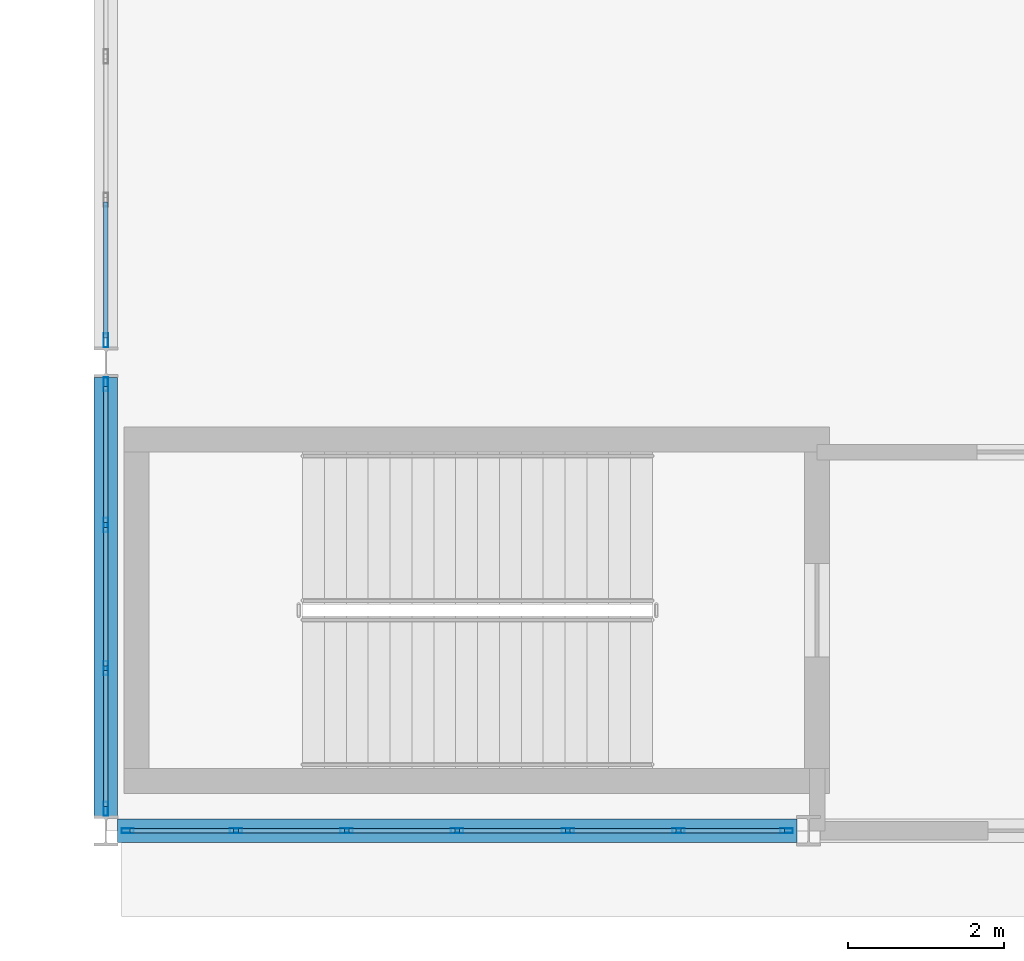
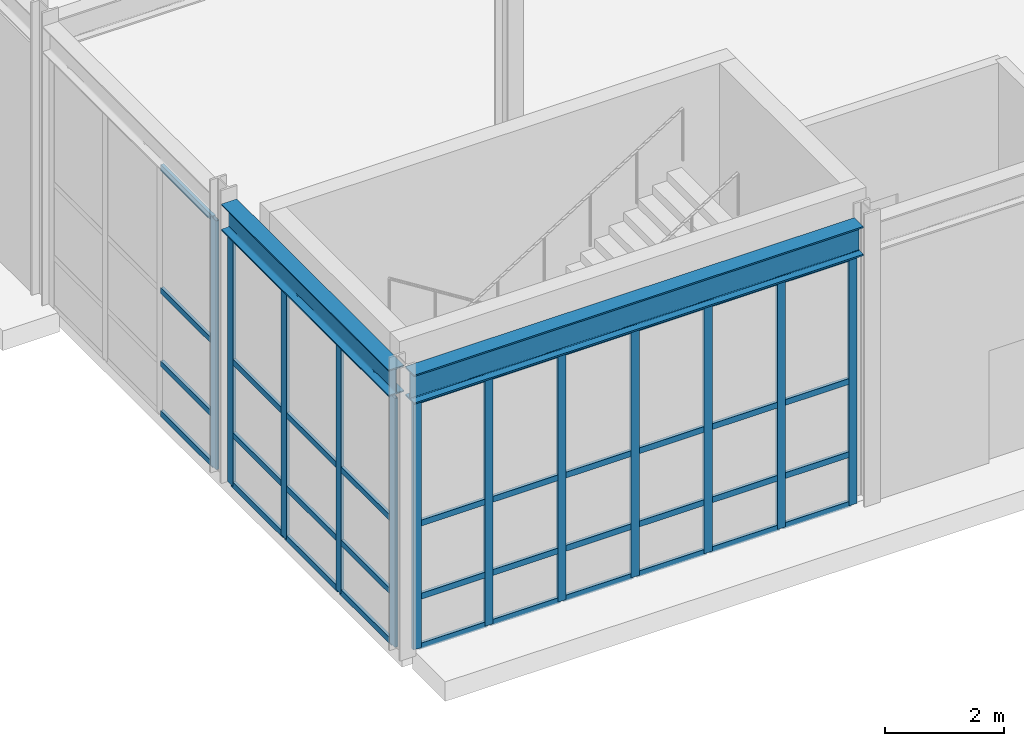
# One storey, part 20 of 146: 52 members, 2 beams, 3 elements without a shape of their own.
"""IFC4 building model written with IfcOpenShell, lengths in metres."""

import ifcopenshell
import ifcopenshell.guid

model = None  # the IFC model being written
_history = None  # IfcOwnerHistory: only IFC2X3 demands one
_inside = {}  # id of a spatial element -> (the spatial element, [elements in it])
_under = {}  # id of a project, library or spatial element -> (it, [spatial elements below it])
_declared = {}  # id of a project -> (the project, [libraries it declares])
_typed = {}  # id of a type object -> (the type object, [elements of that type])
_made_of = {}  # id of a material, layer set ... -> (it, [elements and type objects made of it])


def new_model(schema):
    """Start an empty IFC model of exactly this schema.

    Asked for "IFC4X3", IfcOpenShell would pick the latest addendum, in which some entities
    have other attributes; the version numbers below select the first issue.
    IFC2X3 requires an IfcOwnerHistory on every rooted entity: one is made here for all.
    """
    global model, _history
    if schema == "IFC4X3":
        model = ifcopenshell.file(schema_version=(4, 3, 0, 0))
    else:
        model = ifcopenshell.file(schema=schema)
    _inside.clear()
    _under.clear()
    _declared.clear()
    _typed.clear()
    _made_of.clear()
    _history = None
    if model.schema == "IFC2X3":
        org = make("IfcOrganization", Name="unknown")
        user = make(
            "IfcPersonAndOrganization",
            ThePerson=make("IfcPerson", FamilyName="unknown"),
            TheOrganization=org,
        )
        app = make(
            "IfcApplication",
            ApplicationDeveloper=org,
            Version="unknown",
            ApplicationFullName="unknown",
            ApplicationIdentifier="unknown",
        )
        _history = make(
            "IfcOwnerHistory",
            OwningUser=user,
            OwningApplication=app,
            ChangeAction="ADDED",
            CreationDate=0,
        )
    return model


def make(cls, **values):
    """One entity of the class cls with the attributes given. An attribute that is None is left unset."""
    return model.create_entity(
        cls, **{name: value for name, value in values.items() if value is not None}
    )


def rooted(cls, **values):
    """An entity with a GlobalId (a new one), such as an element, a storey or a relation."""
    return make(cls, GlobalId=ifcopenshell.guid.new(), OwnerHistory=_history, **values)


def si_unit(unit_type, name, prefix=None):
    """IfcSIUnit, for example si_unit("LENGTHUNIT", "METRE", prefix="MILLI")."""
    return make("IfcSIUnit", UnitType=unit_type, Prefix=prefix, Name=name)


def assignment(units):
    """IfcUnitAssignment: the units of a project."""
    return None if units is None else make("IfcUnitAssignment", Units=units)


def point(xyz):
    """IfcCartesianPoint."""
    return None if xyz is None else make("IfcCartesianPoint", Coordinates=xyz)


def direction(xyz):
    """IfcDirection."""
    return None if xyz is None else make("IfcDirection", DirectionRatios=xyz)


def frame(location, z_axis=None, x_axis=None):
    """IfcAxis2Placement3D, a coordinate frame: its origin and axes. An axis left out is left unset."""
    return make(
        "IfcAxis2Placement3D",
        Location=point(location),
        Axis=direction(z_axis),
        RefDirection=direction(x_axis),
    )


def frame_2d(location, x_axis=None):
    """IfcAxis2Placement2D, a coordinate frame in the plane: its origin and x axis."""
    return make(
        "IfcAxis2Placement2D", Location=point(location), RefDirection=direction(x_axis)
    )


def origin():
    """The frame at (0, 0, 0) with its axes left unset."""
    return frame((0.0, 0.0, 0.0))


def origin_2d():
    """The frame at (0, 0) in the plane with its x axis left unset."""
    return frame_2d((0.0, 0.0))


def place(relative_to, where):
    """IfcLocalPlacement: puts the frame where relative to a parent placement (None: the world)."""
    return make(
        "IfcLocalPlacement", PlacementRelTo=relative_to, RelativePlacement=where
    )


def context(
    kind, dimensions, precision=None, world=None, true_north=None, identifier=None
):
    """IfcGeometricRepresentationContext, for example the 3D "Model" context."""
    return make(
        "IfcGeometricRepresentationContext",
        ContextIdentifier=identifier,
        ContextType=kind,
        CoordinateSpaceDimension=dimensions,
        Precision=precision,
        WorldCoordinateSystem=world,
        TrueNorth=true_north,
    )


def subcontext(parent, identifier, kind, view, scale=None):
    """IfcGeometricRepresentationSubContext, for example "Body" below "Model"."""
    return make(
        "IfcGeometricRepresentationSubContext",
        ContextIdentifier=identifier,
        ContextType=kind,
        ParentContext=parent,
        TargetScale=scale,
        TargetView=view,
    )


def project(units=None, contexts=None):
    """IfcProject with its units and contexts."""
    return rooted(
        "IfcProject",
        Name="project",
        RepresentationContexts=contexts,
        UnitsInContext=assignment(units),
    )


def spatial(cls, under=None, at=None, **own):
    """A site, building, storey or space (cls), placed at a placement, below another one or the project."""
    s = rooted(cls, ObjectPlacement=at, **own)
    if under is not None:
        _under.setdefault(under.id(), (under, []))[1].append(s)
    return s


def profile(cls, at=None, kind="AREA", **sizes):
    """A parametric profile (cls). Its sizes go by their IFC names, for example OverallWidth=200.0."""
    return make(cls, ProfileType=kind, Position=at, **sizes)


def hollow_rectangle(**sizes):
    """IfcRectangleHollowProfileDef."""
    return profile("IfcRectangleHollowProfileDef", **sizes)


def i_section(**sizes):
    """IfcIShapeProfileDef."""
    return profile("IfcIShapeProfileDef", **sizes)


def extrude(swept, where, along, depth):
    """IfcExtrudedAreaSolid: the profile swept, set in the frame where, extruded along a direction by depth."""
    return make(
        "IfcExtrudedAreaSolid",
        SweptArea=swept,
        Position=where,
        ExtrudedDirection=direction(along),
        Depth=depth,
    )


def shape(context_of_items, identifier, shape_type, items):
    """IfcShapeRepresentation: the items that make up one representation, for example the "Body"."""
    return make(
        "IfcShapeRepresentation",
        ContextOfItems=context_of_items,
        RepresentationIdentifier=identifier,
        RepresentationType=shape_type,
        Items=items,
    )


def material(Name=None, Category=None):
    """IfcMaterial."""
    return make("IfcMaterial", Name=Name, Category=Category)


def material_profile(
    of_material, cross_section, Name=None, Category=None, Priority=None
):
    """IfcMaterialProfile: a cross section and its material."""
    return make(
        "IfcMaterialProfile",
        Name=Name,
        Material=of_material,
        Profile=cross_section,
        Priority=Priority,
        Category=Category,
    )


def profile_set(profiles, Name=None, composite=None):
    """IfcMaterialProfileSet."""
    return make(
        "IfcMaterialProfileSet",
        Name=Name,
        MaterialProfiles=profiles,
        CompositeProfile=composite,
    )


def made_of(thing, what):
    """Note that an element or type object is made of a material, layer set ...; save() writes the relation."""
    if what is not None:
        _made_of.setdefault(what.id(), (what, []))[1].append(thing)
    return thing


def type_object(cls, material=None, **own):
    """A type object (cls), such as IfcWallType, which elements share."""
    return made_of(rooted(cls, **own), material)


def element(
    cls,
    number,
    at=None,
    inside=None,
    cuts=None,
    type_object=None,
    material=None,
    context=None,
    identifier="Body",
    shape_type=None,
    held_by="IfcProductDefinitionShape",
    body=None,
    shapes=None,
    **own,
):
    """One element of the class cls, such as IfcWall. Its Tag is "e" and its number.

    at: its placement. inside: the storey or other place that contains it. cuts: it is an
    opening in that element (IfcRelVoidsElement). A single representation is given by context,
    identifier, shape_type and body (its items); several are given by shapes. held_by: the class
    of the entity that holds the representations. save() writes the other relations.
    """
    e = rooted(cls, Tag="e%d" % number, ObjectPlacement=at, **own)
    if body is not None:
        shapes = [shape(context, identifier, shape_type, body)]
    if shapes is not None:
        e.Representation = make(held_by, Representations=shapes)
    if inside is not None:
        _inside.setdefault(inside.id(), (inside, []))[1].append(e)
    if cuts is not None:
        rooted(
            "IfcRelVoidsElement", RelatingBuildingElement=cuts, RelatedOpeningElement=e
        )
    if type_object is not None:
        _typed.setdefault(type_object.id(), (type_object, []))[1].append(e)
    return made_of(e, material)


def aggregate(whole, parts):
    """IfcRelAggregates: a whole, such as a stair, and the parts it consists of."""
    return rooted("IfcRelAggregates", RelatingObject=whole, RelatedObjects=parts)


def save(model, path):
    """Write the relations noted so far, then the file.

    IfcRelAggregates (storeys below a building ...), IfcRelContainedInSpatialStructure (elements
    in a storey), IfcRelDefinesByType, IfcRelAssociatesMaterial and IfcRelDeclares: one each for
    every whole, place, type object, material and project.
    """
    for whole, parts in _under.values():
        aggregate(whole, parts)
    for where, things in _inside.values():
        rooted(
            "IfcRelContainedInSpatialStructure",
            RelatedElements=things,
            RelatingStructure=where,
        )
    for kind, things in _typed.values():
        rooted("IfcRelDefinesByType", RelatedObjects=things, RelatingType=kind)
    for what, things in _made_of.values():
        rooted("IfcRelAssociatesMaterial", RelatedObjects=things, RelatingMaterial=what)
    for by, libraries in _declared.values():
        rooted("IfcRelDeclares", RelatingContext=by, RelatedDefinitions=libraries)
    model.write(path)


model = new_model("IFC4")

# Units and contexts
model_context = context("Model", 3, precision=1e-05, world=origin(), true_north=direction((0.0, 1.0)))
body_context = subcontext(model_context, "Body", "Model", "MODEL_VIEW")
ifc_project = project(units=[si_unit("LENGTHUNIT", "METRE"), si_unit("AREAUNIT", "SQUARE_METRE"), si_unit("VOLUMEUNIT", "CUBIC_METRE"), si_unit("PLANEANGLEUNIT", "RADIAN"), si_unit("MASSUNIT", "GRAM", prefix="KILO")], contexts=[model_context])

# Site, building, storey
site_placement = place(None, origin())
site = spatial("IfcSite", under=ifc_project, at=site_placement, CompositionType="ELEMENT")
building_placement = place(site_placement, origin())
building = spatial("IfcBuilding", under=site, at=building_placement, Name="Kaldris Quays Convention Centre", CompositionType="ELEMENT")
storey_placement = place(building_placement, origin())
storey = spatial("IfcBuildingStorey", under=building, at=storey_placement, Name="L00", CompositionType="ELEMENT", Elevation=0.0)

# Curtain wall, members
ifc_material_1 = material(Name="Anodized aluminium AW-6060 and triple glazing", Category="aluminium")
curtain_wall_type_1 = type_object("IfcCurtainWallType", Name="UNITISED CURTAIN WALL CW01", PredefinedType="NOTDEFINED", material=ifc_material_1)
curtain_wall_1_placement = place(storey_placement, origin())
curtain_wall_1 = element("IfcCurtainWall", 1, at=curtain_wall_1_placement, inside=storey, type_object=curtain_wall_type_1, Name="L00 Unitised Curtain Wall CW01 43", PredefinedType="NOTDEFINED")
ifc_material_2 = material(Name="Anodized aluminium AW-6060", Category="aluminium")
ifc_material_profile_1 = material_profile(ifc_material_2, hollow_rectangle(XDim=0.06005859375, YDim=0.159912109375, WallThickness=0.00390625, at=origin_2d()), Name="RHS 160x60x4")
ifc_profile_set_1 = profile_set([ifc_material_profile_1], Name="Anodized aluminium AW-6060")
member_type_1 = type_object("IfcMemberType", Name="CURTAIN MULLION CWM1", PredefinedType="MULLION", material=ifc_profile_set_1)
member_1_placement = place(storey_placement, frame((20.280029296875, 16.0, 0.0), z_axis=(0.0, 0.0, 1.0), x_axis=(0.0, 1.0, 0.0)))
member_1 = element("IfcMember", 2, at=member_1_placement, type_object=member_type_1, Name="CW01 mullion 1", PredefinedType="MULLION", context=body_context, shape_type="SweptSolid", body=[
    extrude(hollow_rectangle(XDim=0.06005859375, YDim=0.159912109375, WallThickness=0.00390625, at=origin_2d()), origin(), (0.0, 0.0, 1.0), 5.097900390625),
])
member_2_placement = place(storey_placement, frame((21.666748046875, 16.0, 0.0), z_axis=(0.0, 0.0, 1.0), x_axis=(0.0, 1.0, 0.0)))
member_2 = element("IfcMember", 3, at=member_2_placement, type_object=member_type_1, Name="CW01 mullion 2", PredefinedType="MULLION", context=body_context, shape_type="SweptSolid", body=[
    extrude(hollow_rectangle(XDim=0.06005859375, YDim=0.159912109375, WallThickness=0.00390625, at=origin_2d()), origin(), (0.0, 0.0, 1.0), 5.097900390625),
])
member_3_placement = place(storey_placement, frame((23.083251953125, 16.0, 0.0), z_axis=(0.0, 0.0, 1.0), x_axis=(0.0, 1.0, 0.0)))
member_3 = element("IfcMember", 4, at=member_3_placement, type_object=member_type_1, Name="CW01 mullion 3", PredefinedType="MULLION", context=body_context, shape_type="SweptSolid", body=[
    extrude(hollow_rectangle(XDim=0.06005859375, YDim=0.159912109375, WallThickness=0.00390625, at=origin_2d()), origin(), (0.0, 0.0, 1.0), 5.097900390625),
])
member_4_placement = place(storey_placement, frame((24.5, 16.0, 0.0), z_axis=(0.0, 0.0, 1.0), x_axis=(0.0, 1.0, 0.0)))
member_4 = element("IfcMember", 5, at=member_4_placement, type_object=member_type_1, Name="CW01 mullion 4", PredefinedType="MULLION", context=body_context, shape_type="SweptSolid", body=[
    extrude(hollow_rectangle(XDim=0.06005859375, YDim=0.159912109375, WallThickness=0.00390625, at=origin_2d()), origin(), (0.0, 0.0, 1.0), 5.097900390625),
])
member_5_placement = place(storey_placement, frame((25.916748046875, 16.0, 0.0), z_axis=(0.0, 0.0, 1.0), x_axis=(0.0, 1.0, 0.0)))
member_5 = element("IfcMember", 6, at=member_5_placement, type_object=member_type_1, Name="CW01 mullion 5", PredefinedType="MULLION", context=body_context, shape_type="SweptSolid", body=[
    extrude(hollow_rectangle(XDim=0.06005859375, YDim=0.159912109375, WallThickness=0.00390625, at=origin_2d()), origin(), (0.0, 0.0, 1.0), 5.097900390625),
])
member_6_placement = place(storey_placement, frame((27.333251953125, 16.0, 0.0), z_axis=(0.0, 0.0, 1.0), x_axis=(0.0, 1.0, 0.0)))
member_6 = element("IfcMember", 7, at=member_6_placement, type_object=member_type_1, Name="CW01 mullion 6", PredefinedType="MULLION", context=body_context, shape_type="SweptSolid", body=[
    extrude(hollow_rectangle(XDim=0.06005859375, YDim=0.159912109375, WallThickness=0.00390625, at=origin_2d()), origin(), (0.0, 0.0, 1.0), 5.097900390625),
])
member_7_placement = place(storey_placement, frame((28.719970703125, 16.0, 0.0), z_axis=(0.0, 0.0, 1.0), x_axis=(0.0, 1.0, 0.0)))
member_7 = element("IfcMember", 8, at=member_7_placement, type_object=member_type_1, Name="CW01 mullion 7", PredefinedType="MULLION", context=body_context, shape_type="SweptSolid", body=[
    extrude(hollow_rectangle(XDim=0.06005859375, YDim=0.159912109375, WallThickness=0.00390625, at=origin_2d()), origin(), (0.0, 0.0, 1.0), 5.097900390625),
])

curtain_wall_type_2 = type_object("IfcCurtainWallType", Name="UNITISED CURTAIN WALL CW05", PredefinedType="NOTDEFINED", material=ifc_material_1)
curtain_wall_2_placement = place(storey_placement, origin())
curtain_wall_2 = element("IfcCurtainWall", 9, at=curtain_wall_2_placement, inside=storey, type_object=curtain_wall_type_2, Name="L00 Unitised Curtain Wall CW05 51", PredefinedType="NOTDEFINED")
ifc_material_profile_2 = material_profile(ifc_material_2, hollow_rectangle(XDim=0.06005859375, YDim=0.179931640625, WallThickness=0.0048828125, at=origin_2d()), Name="RHS 180x60x5")
ifc_profile_set_2 = profile_set([ifc_material_profile_2], Name="Anodized aluminium AW-6060")
member_type_2 = type_object("IfcMemberType", Name="CURTAIN MULLION CWM2", PredefinedType="MULLION", material=ifc_profile_set_2)
member_8_placement = place(storey_placement, frame((20.0, 16.280029296875, 0.0), z_axis=(0.0, 0.0, 1.0), x_axis=(-1.0, 0.0, 0.0)))
member_8 = element("IfcMember", 10, at=member_8_placement, type_object=member_type_2, Name="CW05 mullion 1", PredefinedType="MULLION", context=body_context, shape_type="SweptSolid", body=[
    extrude(hollow_rectangle(XDim=0.06005859375, YDim=0.179931640625, WallThickness=0.0048828125, at=origin_2d()), origin(), (0.0, 0.0, 1.0), 5.097900390625),
])
member_9_placement = place(storey_placement, frame((20.0, 18.083251953125, 0.0), z_axis=(0.0, 0.0, 1.0), x_axis=(-1.0, 0.0, 0.0)))
member_9 = element("IfcMember", 11, at=member_9_placement, type_object=member_type_2, Name="CW05 mullion 2", PredefinedType="MULLION", context=body_context, shape_type="SweptSolid", body=[
    extrude(hollow_rectangle(XDim=0.06005859375, YDim=0.179931640625, WallThickness=0.0048828125, at=origin_2d()), origin(), (0.0, 0.0, 1.0), 5.097900390625),
])
member_10_placement = place(storey_placement, frame((20.0, 19.916748046875, 0.0), z_axis=(0.0, 0.0, 1.0), x_axis=(-1.0, 0.0, 0.0)))
member_10 = element("IfcMember", 12, at=member_10_placement, type_object=member_type_2, Name="CW05 mullion 3", PredefinedType="MULLION", context=body_context, shape_type="SweptSolid", body=[
    extrude(hollow_rectangle(XDim=0.06005859375, YDim=0.179931640625, WallThickness=0.0048828125, at=origin_2d()), origin(), (0.0, 0.0, 1.0), 5.097900390625),
])
member_11_placement = place(storey_placement, frame((20.0, 21.719970703125, 0.0), z_axis=(0.0, 0.0, 1.0), x_axis=(-1.0, 0.0, 0.0)))
member_11 = element("IfcMember", 13, at=member_11_placement, type_object=member_type_2, Name="CW05 mullion 4", PredefinedType="MULLION", context=body_context, shape_type="SweptSolid", body=[
    extrude(hollow_rectangle(XDim=0.06005859375, YDim=0.179931640625, WallThickness=0.0048828125, at=origin_2d()), origin(), (0.0, 0.0, 1.0), 5.097900390625),
])

# Curtain wall, member
curtain_wall_3_placement = place(storey_placement, origin())
curtain_wall_3 = element("IfcCurtainWall", 14, at=curtain_wall_3_placement, inside=storey, type_object=curtain_wall_type_2, Name="L00 Unitised Curtain Wall CW05 53", PredefinedType="NOTDEFINED")
member_12_placement = place(storey_placement, frame((20.0, 22.280029296875, 0.0), z_axis=(0.0, 0.0, 1.0), x_axis=(-1.0, 0.0, 0.0)))
member_12 = element("IfcMember", 15, at=member_12_placement, type_object=member_type_2, Name="CW05 mullion 1", PredefinedType="MULLION", context=body_context, shape_type="SweptSolid", body=[
    extrude(hollow_rectangle(XDim=0.06005859375, YDim=0.179931640625, WallThickness=0.0048828125, at=origin_2d()), origin(), (0.0, 0.0, 1.0), 5.097900390625),
])

# Member
ifc_material_profile_3 = material_profile(ifc_material_2, hollow_rectangle(XDim=0.06005859375, YDim=0.1201171875, WallThickness=0.00390625, at=origin_2d()), Name="RHS 120x60x4")
ifc_profile_set_3 = profile_set([ifc_material_profile_3], Name="Anodized aluminium AW-6060")
member_type_3 = type_object("IfcMemberType", Name="CURTAIN TRANSOM CWT1", PredefinedType="USERDEFINED", material=ifc_profile_set_3)
member_13_placement = place(storey_placement, frame((20.31005859375, 16.0, 0.030029296875), z_axis=(1.0, 0.0, 0.0), x_axis=(0.0, 1.0, 0.0)))
member_13 = element("IfcMember", 16, at=member_13_placement, type_object=member_type_3, Name="CW01 transom 1.1", ObjectType="TRANSOM", PredefinedType="USERDEFINED", context=body_context, shape_type="SweptSolid", body=[
    extrude(hollow_rectangle(XDim=0.06005859375, YDim=0.1201171875, WallThickness=0.00390625, at=origin_2d()), origin(), (0.0, 0.0, 1.0), 1.32666015625),
])

member_14_placement = place(storey_placement, frame((20.31005859375, 16.0, 1.050048828125), z_axis=(1.0, 0.0, 0.0), x_axis=(0.0, 1.0, 0.0)))
member_14 = element("IfcMember", 17, at=member_14_placement, type_object=member_type_3, Name="CW01 transom 1.2", ObjectType="TRANSOM", PredefinedType="USERDEFINED", context=body_context, shape_type="SweptSolid", body=[
    extrude(hollow_rectangle(XDim=0.06005859375, YDim=0.1201171875, WallThickness=0.00390625, at=origin_2d()), origin(), (0.0, 0.0, 1.0), 1.32666015625),
])

member_15_placement = place(storey_placement, frame((20.31005859375, 16.0, 2.549072265625), z_axis=(1.0, 0.0, 0.0), x_axis=(0.0, 1.0, 0.0)))
member_15 = element("IfcMember", 18, at=member_15_placement, type_object=member_type_3, Name="CW01 transom 1.3", ObjectType="TRANSOM", PredefinedType="USERDEFINED", context=body_context, shape_type="SweptSolid", body=[
    extrude(hollow_rectangle(XDim=0.06005859375, YDim=0.1201171875, WallThickness=0.00390625, at=origin_2d()), origin(), (0.0, 0.0, 1.0), 1.32666015625),
])

member_16_placement = place(storey_placement, frame((20.31005859375, 16.0, 5.068115234375), z_axis=(1.0, 0.0, 0.0), x_axis=(0.0, 1.0, 0.0)))
member_16 = element("IfcMember", 19, at=member_16_placement, type_object=member_type_3, Name="CW01 transom 1.4", ObjectType="TRANSOM", PredefinedType="USERDEFINED", context=body_context, shape_type="SweptSolid", body=[
    extrude(hollow_rectangle(XDim=0.06005859375, YDim=0.1201171875, WallThickness=0.00390625, at=origin_2d()), origin(), (0.0, 0.0, 1.0), 1.32666015625),
])

member_17_placement = place(storey_placement, frame((21.69677734375, 16.0, 0.030029296875), z_axis=(1.0, 0.0, 0.0), x_axis=(0.0, 1.0, 0.0)))
member_17 = element("IfcMember", 20, at=member_17_placement, type_object=member_type_3, Name="CW01 transom 2.1", ObjectType="TRANSOM", PredefinedType="USERDEFINED", context=body_context, shape_type="SweptSolid", body=[
    extrude(hollow_rectangle(XDim=0.06005859375, YDim=0.1201171875, WallThickness=0.00390625, at=origin_2d()), origin(), (0.0, 0.0, 1.0), 1.3564453125),
])

member_18_placement = place(storey_placement, frame((21.69677734375, 16.0, 1.050048828125), z_axis=(1.0, 0.0, 0.0), x_axis=(0.0, 1.0, 0.0)))
member_18 = element("IfcMember", 21, at=member_18_placement, type_object=member_type_3, Name="CW01 transom 2.2", ObjectType="TRANSOM", PredefinedType="USERDEFINED", context=body_context, shape_type="SweptSolid", body=[
    extrude(hollow_rectangle(XDim=0.06005859375, YDim=0.1201171875, WallThickness=0.00390625, at=origin_2d()), origin(), (0.0, 0.0, 1.0), 1.3564453125),
])

member_19_placement = place(storey_placement, frame((21.69677734375, 16.0, 2.549072265625), z_axis=(1.0, 0.0, 0.0), x_axis=(0.0, 1.0, 0.0)))
member_19 = element("IfcMember", 22, at=member_19_placement, type_object=member_type_3, Name="CW01 transom 2.3", ObjectType="TRANSOM", PredefinedType="USERDEFINED", context=body_context, shape_type="SweptSolid", body=[
    extrude(hollow_rectangle(XDim=0.06005859375, YDim=0.1201171875, WallThickness=0.00390625, at=origin_2d()), origin(), (0.0, 0.0, 1.0), 1.3564453125),
])

member_20_placement = place(storey_placement, frame((21.69677734375, 16.0, 5.068115234375), z_axis=(1.0, 0.0, 0.0), x_axis=(0.0, 1.0, 0.0)))
member_20 = element("IfcMember", 23, at=member_20_placement, type_object=member_type_3, Name="CW01 transom 2.4", ObjectType="TRANSOM", PredefinedType="USERDEFINED", context=body_context, shape_type="SweptSolid", body=[
    extrude(hollow_rectangle(XDim=0.06005859375, YDim=0.1201171875, WallThickness=0.00390625, at=origin_2d()), origin(), (0.0, 0.0, 1.0), 1.3564453125),
])

member_21_placement = place(storey_placement, frame((23.11328125, 16.0, 0.030029296875), z_axis=(1.0, 0.0, 0.0), x_axis=(0.0, 1.0, 0.0)))
member_21 = element("IfcMember", 24, at=member_21_placement, type_object=member_type_3, Name="CW01 transom 3.1", ObjectType="TRANSOM", PredefinedType="USERDEFINED", context=body_context, shape_type="SweptSolid", body=[
    extrude(hollow_rectangle(XDim=0.06005859375, YDim=0.1201171875, WallThickness=0.00390625, at=origin_2d()), origin(), (0.0, 0.0, 1.0), 1.356689453125),
])

member_22_placement = place(storey_placement, frame((23.11328125, 16.0, 1.050048828125), z_axis=(1.0, 0.0, 0.0), x_axis=(0.0, 1.0, 0.0)))
member_22 = element("IfcMember", 25, at=member_22_placement, type_object=member_type_3, Name="CW01 transom 3.2", ObjectType="TRANSOM", PredefinedType="USERDEFINED", context=body_context, shape_type="SweptSolid", body=[
    extrude(hollow_rectangle(XDim=0.06005859375, YDim=0.1201171875, WallThickness=0.00390625, at=origin_2d()), origin(), (0.0, 0.0, 1.0), 1.356689453125),
])

member_23_placement = place(storey_placement, frame((23.11328125, 16.0, 2.549072265625), z_axis=(1.0, 0.0, 0.0), x_axis=(0.0, 1.0, 0.0)))
member_23 = element("IfcMember", 26, at=member_23_placement, type_object=member_type_3, Name="CW01 transom 3.3", ObjectType="TRANSOM", PredefinedType="USERDEFINED", context=body_context, shape_type="SweptSolid", body=[
    extrude(hollow_rectangle(XDim=0.06005859375, YDim=0.1201171875, WallThickness=0.00390625, at=origin_2d()), origin(), (0.0, 0.0, 1.0), 1.356689453125),
])

member_24_placement = place(storey_placement, frame((23.11328125, 16.0, 5.068115234375), z_axis=(1.0, 0.0, 0.0), x_axis=(0.0, 1.0, 0.0)))
member_24 = element("IfcMember", 27, at=member_24_placement, type_object=member_type_3, Name="CW01 transom 3.4", ObjectType="TRANSOM", PredefinedType="USERDEFINED", context=body_context, shape_type="SweptSolid", body=[
    extrude(hollow_rectangle(XDim=0.06005859375, YDim=0.1201171875, WallThickness=0.00390625, at=origin_2d()), origin(), (0.0, 0.0, 1.0), 1.356689453125),
])

member_25_placement = place(storey_placement, frame((24.530029296875, 16.0, 0.030029296875), z_axis=(1.0, 0.0, 0.0), x_axis=(0.0, 1.0, 0.0)))
member_25 = element("IfcMember", 28, at=member_25_placement, type_object=member_type_3, Name="CW01 transom 4.1", ObjectType="TRANSOM", PredefinedType="USERDEFINED", context=body_context, shape_type="SweptSolid", body=[
    extrude(hollow_rectangle(XDim=0.06005859375, YDim=0.1201171875, WallThickness=0.00390625, at=origin_2d()), origin(), (0.0, 0.0, 1.0), 1.356689453125),
])

member_26_placement = place(storey_placement, frame((24.530029296875, 16.0, 1.050048828125), z_axis=(1.0, 0.0, 0.0), x_axis=(0.0, 1.0, 0.0)))
member_26 = element("IfcMember", 29, at=member_26_placement, type_object=member_type_3, Name="CW01 transom 4.2", ObjectType="TRANSOM", PredefinedType="USERDEFINED", context=body_context, shape_type="SweptSolid", body=[
    extrude(hollow_rectangle(XDim=0.06005859375, YDim=0.1201171875, WallThickness=0.00390625, at=origin_2d()), origin(), (0.0, 0.0, 1.0), 1.356689453125),
])

member_27_placement = place(storey_placement, frame((24.530029296875, 16.0, 2.549072265625), z_axis=(1.0, 0.0, 0.0), x_axis=(0.0, 1.0, 0.0)))
member_27 = element("IfcMember", 30, at=member_27_placement, type_object=member_type_3, Name="CW01 transom 4.3", ObjectType="TRANSOM", PredefinedType="USERDEFINED", context=body_context, shape_type="SweptSolid", body=[
    extrude(hollow_rectangle(XDim=0.06005859375, YDim=0.1201171875, WallThickness=0.00390625, at=origin_2d()), origin(), (0.0, 0.0, 1.0), 1.356689453125),
])

member_28_placement = place(storey_placement, frame((24.530029296875, 16.0, 5.068115234375), z_axis=(1.0, 0.0, 0.0), x_axis=(0.0, 1.0, 0.0)))
member_28 = element("IfcMember", 31, at=member_28_placement, type_object=member_type_3, Name="CW01 transom 4.4", ObjectType="TRANSOM", PredefinedType="USERDEFINED", context=body_context, shape_type="SweptSolid", body=[
    extrude(hollow_rectangle(XDim=0.06005859375, YDim=0.1201171875, WallThickness=0.00390625, at=origin_2d()), origin(), (0.0, 0.0, 1.0), 1.356689453125),
])

member_29_placement = place(storey_placement, frame((25.94677734375, 16.0, 0.030029296875), z_axis=(1.0, 0.0, 0.0), x_axis=(0.0, 1.0, 0.0)))
member_29 = element("IfcMember", 32, at=member_29_placement, type_object=member_type_3, Name="CW01 transom 5.1", ObjectType="TRANSOM", PredefinedType="USERDEFINED", context=body_context, shape_type="SweptSolid", body=[
    extrude(hollow_rectangle(XDim=0.06005859375, YDim=0.1201171875, WallThickness=0.00390625, at=origin_2d()), origin(), (0.0, 0.0, 1.0), 1.3564453125),
])

member_30_placement = place(storey_placement, frame((25.94677734375, 16.0, 1.050048828125), z_axis=(1.0, 0.0, 0.0), x_axis=(0.0, 1.0, 0.0)))
member_30 = element("IfcMember", 33, at=member_30_placement, type_object=member_type_3, Name="CW01 transom 5.2", ObjectType="TRANSOM", PredefinedType="USERDEFINED", context=body_context, shape_type="SweptSolid", body=[
    extrude(hollow_rectangle(XDim=0.06005859375, YDim=0.1201171875, WallThickness=0.00390625, at=origin_2d()), origin(), (0.0, 0.0, 1.0), 1.3564453125),
])

member_31_placement = place(storey_placement, frame((25.94677734375, 16.0, 2.549072265625), z_axis=(1.0, 0.0, 0.0), x_axis=(0.0, 1.0, 0.0)))
member_31 = element("IfcMember", 34, at=member_31_placement, type_object=member_type_3, Name="CW01 transom 5.3", ObjectType="TRANSOM", PredefinedType="USERDEFINED", context=body_context, shape_type="SweptSolid", body=[
    extrude(hollow_rectangle(XDim=0.06005859375, YDim=0.1201171875, WallThickness=0.00390625, at=origin_2d()), origin(), (0.0, 0.0, 1.0), 1.3564453125),
])

member_32_placement = place(storey_placement, frame((25.94677734375, 16.0, 5.068115234375), z_axis=(1.0, 0.0, 0.0), x_axis=(0.0, 1.0, 0.0)))
member_32 = element("IfcMember", 35, at=member_32_placement, type_object=member_type_3, Name="CW01 transom 5.4", ObjectType="TRANSOM", PredefinedType="USERDEFINED", context=body_context, shape_type="SweptSolid", body=[
    extrude(hollow_rectangle(XDim=0.06005859375, YDim=0.1201171875, WallThickness=0.00390625, at=origin_2d()), origin(), (0.0, 0.0, 1.0), 1.3564453125),
])

member_33_placement = place(storey_placement, frame((27.36328125, 16.0, 0.030029296875), z_axis=(1.0, 0.0, 0.0), x_axis=(0.0, 1.0, 0.0)))
member_33 = element("IfcMember", 36, at=member_33_placement, type_object=member_type_3, Name="CW01 transom 6.1", ObjectType="TRANSOM", PredefinedType="USERDEFINED", context=body_context, shape_type="SweptSolid", body=[
    extrude(hollow_rectangle(XDim=0.06005859375, YDim=0.1201171875, WallThickness=0.00390625, at=origin_2d()), origin(), (0.0, 0.0, 1.0), 1.32666015625),
])

member_34_placement = place(storey_placement, frame((27.36328125, 16.0, 1.050048828125), z_axis=(1.0, 0.0, 0.0), x_axis=(0.0, 1.0, 0.0)))
member_34 = element("IfcMember", 37, at=member_34_placement, type_object=member_type_3, Name="CW01 transom 6.2", ObjectType="TRANSOM", PredefinedType="USERDEFINED", context=body_context, shape_type="SweptSolid", body=[
    extrude(hollow_rectangle(XDim=0.06005859375, YDim=0.1201171875, WallThickness=0.00390625, at=origin_2d()), origin(), (0.0, 0.0, 1.0), 1.32666015625),
])

member_35_placement = place(storey_placement, frame((27.36328125, 16.0, 2.549072265625), z_axis=(1.0, 0.0, 0.0), x_axis=(0.0, 1.0, 0.0)))
member_35 = element("IfcMember", 38, at=member_35_placement, type_object=member_type_3, Name="CW01 transom 6.3", ObjectType="TRANSOM", PredefinedType="USERDEFINED", context=body_context, shape_type="SweptSolid", body=[
    extrude(hollow_rectangle(XDim=0.06005859375, YDim=0.1201171875, WallThickness=0.00390625, at=origin_2d()), origin(), (0.0, 0.0, 1.0), 1.32666015625),
])

member_36_placement = place(storey_placement, frame((27.36328125, 16.0, 5.068115234375), z_axis=(1.0, 0.0, 0.0), x_axis=(0.0, 1.0, 0.0)))
member_36 = element("IfcMember", 39, at=member_36_placement, type_object=member_type_3, Name="CW01 transom 6.4", ObjectType="TRANSOM", PredefinedType="USERDEFINED", context=body_context, shape_type="SweptSolid", body=[
    extrude(hollow_rectangle(XDim=0.06005859375, YDim=0.1201171875, WallThickness=0.00390625, at=origin_2d()), origin(), (0.0, 0.0, 1.0), 1.32666015625),
])

aggregate(curtain_wall_1, [member_1, member_2, member_3, member_4, member_5, member_6, member_7, member_13, member_14, member_15, member_16, member_17, member_18, member_19, member_20, member_21, member_22, member_23, member_24, member_25, member_26, member_27, member_28, member_29, member_30, member_31, member_32, member_33, member_34, member_35, member_36])

member_37_placement = place(storey_placement, frame((20.0, 16.31005859375, 0.030029296875), z_axis=(0.0, 1.0, 0.0), x_axis=(-1.0, 0.0, 0.0)))
member_37 = element("IfcMember", 40, at=member_37_placement, type_object=member_type_3, Name="CW05 transom 1.1", ObjectType="TRANSOM", PredefinedType="USERDEFINED", context=body_context, shape_type="SweptSolid", body=[
    extrude(hollow_rectangle(XDim=0.06005859375, YDim=0.1201171875, WallThickness=0.00390625, at=origin_2d()), origin(), (0.0, 0.0, 1.0), 1.7431640625),
])

member_38_placement = place(storey_placement, frame((20.0, 16.31005859375, 1.050048828125), z_axis=(0.0, 1.0, 0.0), x_axis=(-1.0, 0.0, 0.0)))
member_38 = element("IfcMember", 41, at=member_38_placement, type_object=member_type_3, Name="CW05 transom 1.2", ObjectType="TRANSOM", PredefinedType="USERDEFINED", context=body_context, shape_type="SweptSolid", body=[
    extrude(hollow_rectangle(XDim=0.06005859375, YDim=0.1201171875, WallThickness=0.00390625, at=origin_2d()), origin(), (0.0, 0.0, 1.0), 1.7431640625),
])

member_39_placement = place(storey_placement, frame((20.0, 16.31005859375, 2.549072265625), z_axis=(0.0, 1.0, 0.0), x_axis=(-1.0, 0.0, 0.0)))
member_39 = element("IfcMember", 42, at=member_39_placement, type_object=member_type_3, Name="CW05 transom 1.3", ObjectType="TRANSOM", PredefinedType="USERDEFINED", context=body_context, shape_type="SweptSolid", body=[
    extrude(hollow_rectangle(XDim=0.06005859375, YDim=0.1201171875, WallThickness=0.00390625, at=origin_2d()), origin(), (0.0, 0.0, 1.0), 1.7431640625),
])

member_40_placement = place(storey_placement, frame((20.0, 16.31005859375, 5.068115234375), z_axis=(0.0, 1.0, 0.0), x_axis=(-1.0, 0.0, 0.0)))
member_40 = element("IfcMember", 43, at=member_40_placement, type_object=member_type_3, Name="CW05 transom 1.4", ObjectType="TRANSOM", PredefinedType="USERDEFINED", context=body_context, shape_type="SweptSolid", body=[
    extrude(hollow_rectangle(XDim=0.06005859375, YDim=0.1201171875, WallThickness=0.00390625, at=origin_2d()), origin(), (0.0, 0.0, 1.0), 1.7431640625),
])

member_41_placement = place(storey_placement, frame((20.0, 18.11328125, 0.030029296875), z_axis=(0.0, 1.0, 0.0), x_axis=(-1.0, 0.0, 0.0)))
member_41 = element("IfcMember", 44, at=member_41_placement, type_object=member_type_3, Name="CW05 transom 2.1", ObjectType="TRANSOM", PredefinedType="USERDEFINED", context=body_context, shape_type="SweptSolid", body=[
    extrude(hollow_rectangle(XDim=0.06005859375, YDim=0.1201171875, WallThickness=0.00390625, at=origin_2d()), origin(), (0.0, 0.0, 1.0), 1.7734375),
])

member_42_placement = place(storey_placement, frame((20.0, 18.11328125, 1.050048828125), z_axis=(0.0, 1.0, 0.0), x_axis=(-1.0, 0.0, 0.0)))
member_42 = element("IfcMember", 45, at=member_42_placement, type_object=member_type_3, Name="CW05 transom 2.2", ObjectType="TRANSOM", PredefinedType="USERDEFINED", context=body_context, shape_type="SweptSolid", body=[
    extrude(hollow_rectangle(XDim=0.06005859375, YDim=0.1201171875, WallThickness=0.00390625, at=origin_2d()), origin(), (0.0, 0.0, 1.0), 1.7734375),
])

member_43_placement = place(storey_placement, frame((20.0, 18.11328125, 2.549072265625), z_axis=(0.0, 1.0, 0.0), x_axis=(-1.0, 0.0, 0.0)))
member_43 = element("IfcMember", 46, at=member_43_placement, type_object=member_type_3, Name="CW05 transom 2.3", ObjectType="TRANSOM", PredefinedType="USERDEFINED", context=body_context, shape_type="SweptSolid", body=[
    extrude(hollow_rectangle(XDim=0.06005859375, YDim=0.1201171875, WallThickness=0.00390625, at=origin_2d()), origin(), (0.0, 0.0, 1.0), 1.7734375),
])

member_44_placement = place(storey_placement, frame((20.0, 18.11328125, 5.068115234375), z_axis=(0.0, 1.0, 0.0), x_axis=(-1.0, 0.0, 0.0)))
member_44 = element("IfcMember", 47, at=member_44_placement, type_object=member_type_3, Name="CW05 transom 2.4", ObjectType="TRANSOM", PredefinedType="USERDEFINED", context=body_context, shape_type="SweptSolid", body=[
    extrude(hollow_rectangle(XDim=0.06005859375, YDim=0.1201171875, WallThickness=0.00390625, at=origin_2d()), origin(), (0.0, 0.0, 1.0), 1.7734375),
])

member_45_placement = place(storey_placement, frame((20.0, 19.94677734375, 0.030029296875), z_axis=(0.0, 1.0, 0.0), x_axis=(-1.0, 0.0, 0.0)))
member_45 = element("IfcMember", 48, at=member_45_placement, type_object=member_type_3, Name="CW05 transom 3.1", ObjectType="TRANSOM", PredefinedType="USERDEFINED", context=body_context, shape_type="SweptSolid", body=[
    extrude(hollow_rectangle(XDim=0.06005859375, YDim=0.1201171875, WallThickness=0.00390625, at=origin_2d()), origin(), (0.0, 0.0, 1.0), 1.7431640625),
])

member_46_placement = place(storey_placement, frame((20.0, 19.94677734375, 1.050048828125), z_axis=(0.0, 1.0, 0.0), x_axis=(-1.0, 0.0, 0.0)))
member_46 = element("IfcMember", 49, at=member_46_placement, type_object=member_type_3, Name="CW05 transom 3.2", ObjectType="TRANSOM", PredefinedType="USERDEFINED", context=body_context, shape_type="SweptSolid", body=[
    extrude(hollow_rectangle(XDim=0.06005859375, YDim=0.1201171875, WallThickness=0.00390625, at=origin_2d()), origin(), (0.0, 0.0, 1.0), 1.7431640625),
])

member_47_placement = place(storey_placement, frame((20.0, 19.94677734375, 2.549072265625), z_axis=(0.0, 1.0, 0.0), x_axis=(-1.0, 0.0, 0.0)))
member_47 = element("IfcMember", 50, at=member_47_placement, type_object=member_type_3, Name="CW05 transom 3.3", ObjectType="TRANSOM", PredefinedType="USERDEFINED", context=body_context, shape_type="SweptSolid", body=[
    extrude(hollow_rectangle(XDim=0.06005859375, YDim=0.1201171875, WallThickness=0.00390625, at=origin_2d()), origin(), (0.0, 0.0, 1.0), 1.7431640625),
])

member_48_placement = place(storey_placement, frame((20.0, 19.94677734375, 5.068115234375), z_axis=(0.0, 1.0, 0.0), x_axis=(-1.0, 0.0, 0.0)))
member_48 = element("IfcMember", 51, at=member_48_placement, type_object=member_type_3, Name="CW05 transom 3.4", ObjectType="TRANSOM", PredefinedType="USERDEFINED", context=body_context, shape_type="SweptSolid", body=[
    extrude(hollow_rectangle(XDim=0.06005859375, YDim=0.1201171875, WallThickness=0.00390625, at=origin_2d()), origin(), (0.0, 0.0, 1.0), 1.7431640625),
])

aggregate(curtain_wall_2, [member_8, member_9, member_10, member_11, member_37, member_38, member_39, member_40, member_41, member_42, member_43, member_44, member_45, member_46, member_47, member_48])

member_49_placement = place(storey_placement, frame((20.0, 22.31005859375, 0.030029296875), z_axis=(0.0, 1.0, 0.0), x_axis=(-1.0, 0.0, 0.0)))
member_49 = element("IfcMember", 52, at=member_49_placement, type_object=member_type_3, Name="CW05 transom 1.1", ObjectType="TRANSOM", PredefinedType="USERDEFINED", context=body_context, shape_type="SweptSolid", body=[
    extrude(hollow_rectangle(XDim=0.06005859375, YDim=0.1201171875, WallThickness=0.00390625, at=origin_2d()), origin(), (0.0, 0.0, 1.0), 1.7431640625),
])

member_50_placement = place(storey_placement, frame((20.0, 22.31005859375, 1.050048828125), z_axis=(0.0, 1.0, 0.0), x_axis=(-1.0, 0.0, 0.0)))
member_50 = element("IfcMember", 53, at=member_50_placement, type_object=member_type_3, Name="CW05 transom 1.2", ObjectType="TRANSOM", PredefinedType="USERDEFINED", context=body_context, shape_type="SweptSolid", body=[
    extrude(hollow_rectangle(XDim=0.06005859375, YDim=0.1201171875, WallThickness=0.00390625, at=origin_2d()), origin(), (0.0, 0.0, 1.0), 1.7431640625),
])

member_51_placement = place(storey_placement, frame((20.0, 22.31005859375, 2.549072265625), z_axis=(0.0, 1.0, 0.0), x_axis=(-1.0, 0.0, 0.0)))
member_51 = element("IfcMember", 54, at=member_51_placement, type_object=member_type_3, Name="CW05 transom 1.3", ObjectType="TRANSOM", PredefinedType="USERDEFINED", context=body_context, shape_type="SweptSolid", body=[
    extrude(hollow_rectangle(XDim=0.06005859375, YDim=0.1201171875, WallThickness=0.00390625, at=origin_2d()), origin(), (0.0, 0.0, 1.0), 1.7431640625),
])

member_52_placement = place(storey_placement, frame((20.0, 22.31005859375, 5.068115234375), z_axis=(0.0, 1.0, 0.0), x_axis=(-1.0, 0.0, 0.0)))
member_52 = element("IfcMember", 55, at=member_52_placement, type_object=member_type_3, Name="CW05 transom 1.4", ObjectType="TRANSOM", PredefinedType="USERDEFINED", context=body_context, shape_type="SweptSolid", body=[
    extrude(hollow_rectangle(XDim=0.06005859375, YDim=0.1201171875, WallThickness=0.00390625, at=origin_2d()), origin(), (0.0, 0.0, 1.0), 1.7431640625),
])

aggregate(curtain_wall_3, [member_12, member_49, member_50, member_51, member_52])

# Beams
ifc_material_3 = material(Name="Steel S355J2", Category="steel")
ifc_material_profile_4 = material_profile(ifc_material_3, i_section(OverallWidth=0.300048828125, OverallDepth=0.60009765625, WebThickness=0.015380859375, FlangeThickness=0.030029296875, FilletRadius=0.027099609375, at=origin_2d()), Name="HEB 600")
ifc_profile_set_4 = profile_set([ifc_material_profile_4], Name="Steel S355J2")
beam_type_1 = type_object("IfcBeamType", Name="STRUCTURAL BEAM BM05", PredefinedType="BEAM", material=ifc_profile_set_4)
beam_1_placement = place(storey_placement, frame((20.14794921875, 16.0, 5.423095703125), z_axis=(1.0, 0.0, 0.0), x_axis=(0.0, 1.0, 0.0)))
element("IfcBeam", 56, at=beam_1_placement, inside=storey, type_object=beam_type_1, Name="L00 Girder BM05 1", PredefinedType="BEAM", context=body_context, shape_type="SweptSolid", body=[
    extrude(i_section(OverallWidth=0.300048828125, OverallDepth=0.60009765625, WebThickness=0.015380859375, FlangeThickness=0.030029296875, FilletRadius=0.027099609375, at=origin_2d()), origin(), (0.0, 0.0, 1.0), 8.7041015625),
])
ifc_material_profile_5 = material_profile(ifc_material_3, i_section(OverallWidth=0.300048828125, OverallDepth=0.5400390625, WebThickness=0.012451171875, FlangeThickness=0.02392578125, FilletRadius=0.027099609375, at=origin_2d()), Name="HEA 550")
ifc_profile_set_5 = profile_set([ifc_material_profile_5], Name="Steel S355J2")
beam_type_2 = type_object("IfcBeamType", Name="STRUCTURAL BEAM BM13", PredefinedType="BEAM", material=ifc_profile_set_5)
beam_2_placement = place(storey_placement, frame((20.0, 16.19140625, 5.452880859375), z_axis=(0.0, 1.0, 0.0), x_axis=(-1.0, 0.0, 0.0)))
element("IfcBeam", 57, at=beam_2_placement, inside=storey, type_object=beam_type_2, Name="L00 Girder BM13 27", PredefinedType="BEAM", context=body_context, shape_type="SweptSolid", body=[
    extrude(i_section(OverallWidth=0.300048828125, OverallDepth=0.5400390625, WebThickness=0.012451171875, FlangeThickness=0.02392578125, FilletRadius=0.027099609375, at=origin_2d()), origin(), (0.0, 0.0, 1.0), 5.6171875),
])

save(model, "model.ifc")
